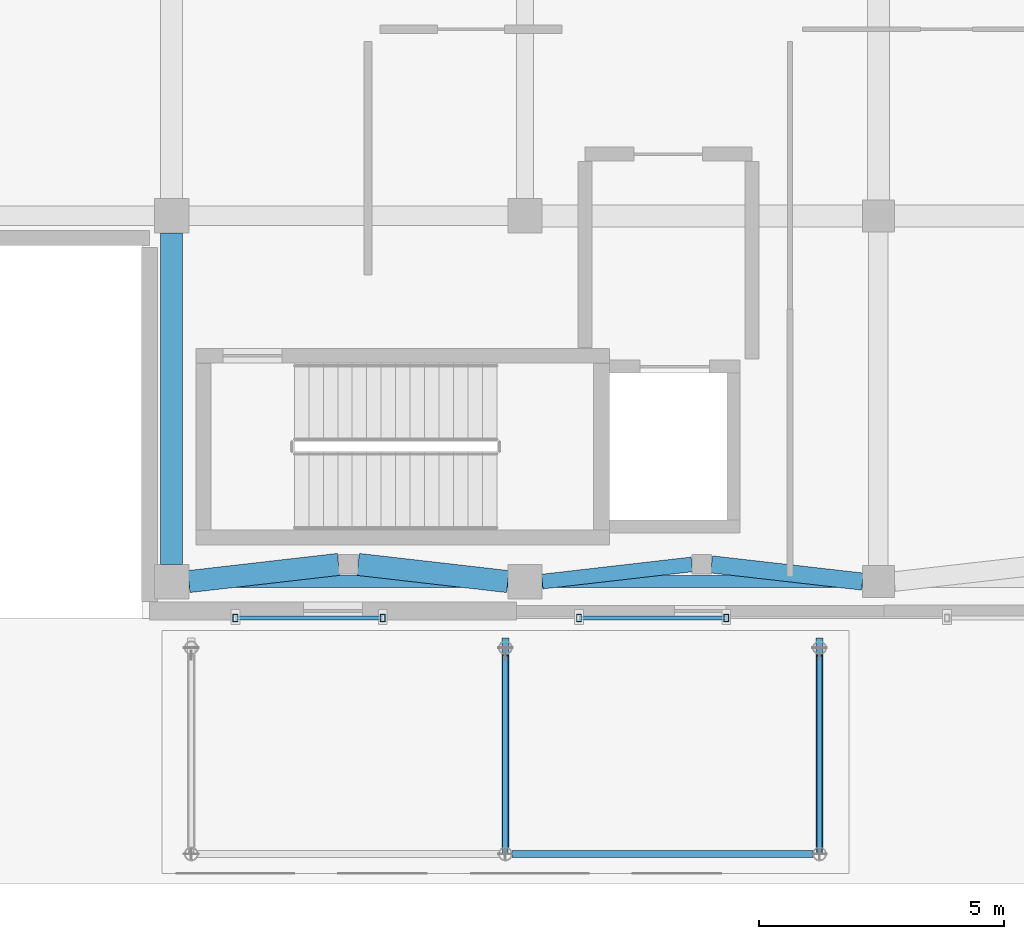
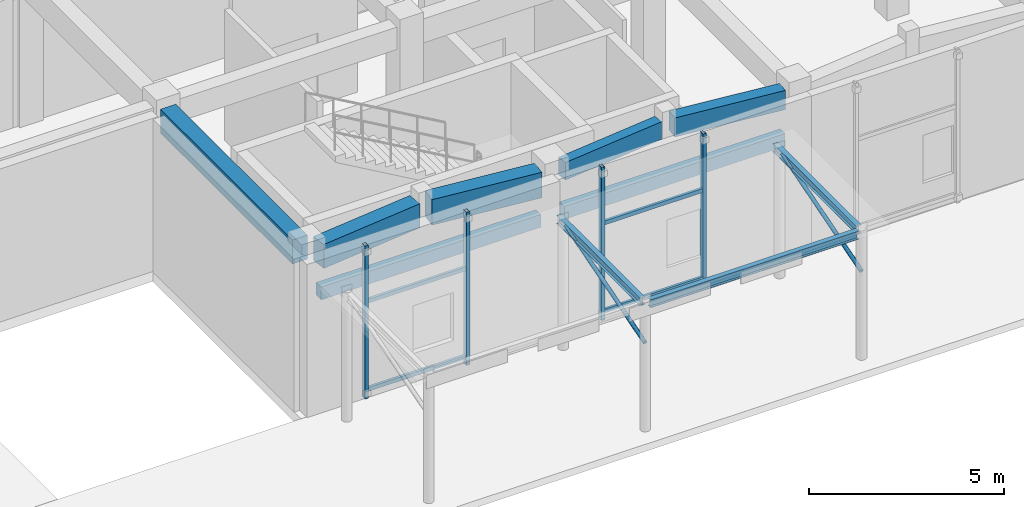
# One storey, part 16 of 121: 10 beams, 10 members.
"""IFC4 building model written with IfcOpenShell, lengths in metres."""

import ifcopenshell
import ifcopenshell.guid

model = None  # the IFC model being written
_history = None  # IfcOwnerHistory: only IFC2X3 demands one
_inside = {}  # id of a spatial element -> (the spatial element, [elements in it])
_under = {}  # id of a project, library or spatial element -> (it, [spatial elements below it])
_declared = {}  # id of a project -> (the project, [libraries it declares])
_typed = {}  # id of a type object -> (the type object, [elements of that type])
_made_of = {}  # id of a material, layer set ... -> (it, [elements and type objects made of it])


def new_model(schema):
    """Start an empty IFC model of exactly this schema.

    Asked for "IFC4X3", IfcOpenShell would pick the latest addendum, in which some entities
    have other attributes; the version numbers below select the first issue.
    IFC2X3 requires an IfcOwnerHistory on every rooted entity: one is made here for all.
    """
    global model, _history
    if schema == "IFC4X3":
        model = ifcopenshell.file(schema_version=(4, 3, 0, 0))
    else:
        model = ifcopenshell.file(schema=schema)
    _inside.clear()
    _under.clear()
    _declared.clear()
    _typed.clear()
    _made_of.clear()
    _history = None
    if model.schema == "IFC2X3":
        org = make("IfcOrganization", Name="unknown")
        user = make(
            "IfcPersonAndOrganization",
            ThePerson=make("IfcPerson", FamilyName="unknown"),
            TheOrganization=org,
        )
        app = make(
            "IfcApplication",
            ApplicationDeveloper=org,
            Version="unknown",
            ApplicationFullName="unknown",
            ApplicationIdentifier="unknown",
        )
        _history = make(
            "IfcOwnerHistory",
            OwningUser=user,
            OwningApplication=app,
            ChangeAction="ADDED",
            CreationDate=0,
        )
    return model


def make(cls, **values):
    """One entity of the class cls with the attributes given. An attribute that is None is left unset."""
    return model.create_entity(
        cls, **{name: value for name, value in values.items() if value is not None}
    )


def rooted(cls, **values):
    """An entity with a GlobalId (a new one), such as an element, a storey or a relation."""
    return make(cls, GlobalId=ifcopenshell.guid.new(), OwnerHistory=_history, **values)


def si_unit(unit_type, name, prefix=None):
    """IfcSIUnit, for example si_unit("LENGTHUNIT", "METRE", prefix="MILLI")."""
    return make("IfcSIUnit", UnitType=unit_type, Prefix=prefix, Name=name)


def assignment(units):
    """IfcUnitAssignment: the units of a project."""
    return None if units is None else make("IfcUnitAssignment", Units=units)


def point(xyz):
    """IfcCartesianPoint."""
    return None if xyz is None else make("IfcCartesianPoint", Coordinates=xyz)


def direction(xyz):
    """IfcDirection."""
    return None if xyz is None else make("IfcDirection", DirectionRatios=xyz)


def frame(location, z_axis=None, x_axis=None):
    """IfcAxis2Placement3D, a coordinate frame: its origin and axes. An axis left out is left unset."""
    return make(
        "IfcAxis2Placement3D",
        Location=point(location),
        Axis=direction(z_axis),
        RefDirection=direction(x_axis),
    )


def frame_2d(location, x_axis=None):
    """IfcAxis2Placement2D, a coordinate frame in the plane: its origin and x axis."""
    return make(
        "IfcAxis2Placement2D", Location=point(location), RefDirection=direction(x_axis)
    )


def origin():
    """The frame at (0, 0, 0) with its axes left unset."""
    return frame((0.0, 0.0, 0.0))


def origin_2d():
    """The frame at (0, 0) in the plane with its x axis left unset."""
    return frame_2d((0.0, 0.0))


def place(relative_to, where):
    """IfcLocalPlacement: puts the frame where relative to a parent placement (None: the world)."""
    return make(
        "IfcLocalPlacement", PlacementRelTo=relative_to, RelativePlacement=where
    )


def context(
    kind, dimensions, precision=None, world=None, true_north=None, identifier=None
):
    """IfcGeometricRepresentationContext, for example the 3D "Model" context."""
    return make(
        "IfcGeometricRepresentationContext",
        ContextIdentifier=identifier,
        ContextType=kind,
        CoordinateSpaceDimension=dimensions,
        Precision=precision,
        WorldCoordinateSystem=world,
        TrueNorth=true_north,
    )


def subcontext(parent, identifier, kind, view, scale=None):
    """IfcGeometricRepresentationSubContext, for example "Body" below "Model"."""
    return make(
        "IfcGeometricRepresentationSubContext",
        ContextIdentifier=identifier,
        ContextType=kind,
        ParentContext=parent,
        TargetScale=scale,
        TargetView=view,
    )


def project(units=None, contexts=None):
    """IfcProject with its units and contexts."""
    return rooted(
        "IfcProject",
        Name="project",
        RepresentationContexts=contexts,
        UnitsInContext=assignment(units),
    )


def spatial(cls, under=None, at=None, **own):
    """A site, building, storey or space (cls), placed at a placement, below another one or the project."""
    s = rooted(cls, ObjectPlacement=at, **own)
    if under is not None:
        _under.setdefault(under.id(), (under, []))[1].append(s)
    return s


def profile(cls, at=None, kind="AREA", **sizes):
    """A parametric profile (cls). Its sizes go by their IFC names, for example OverallWidth=200.0."""
    return make(cls, ProfileType=kind, Position=at, **sizes)


def rectangle(**sizes):
    """IfcRectangleProfileDef."""
    return profile("IfcRectangleProfileDef", **sizes)


def hollow_rectangle(**sizes):
    """IfcRectangleHollowProfileDef."""
    return profile("IfcRectangleHollowProfileDef", **sizes)


def hollow_circle(**sizes):
    """IfcCircleHollowProfileDef."""
    return profile("IfcCircleHollowProfileDef", **sizes)


def i_section(**sizes):
    """IfcIShapeProfileDef."""
    return profile("IfcIShapeProfileDef", **sizes)


def extrude(swept, where, along, depth):
    """IfcExtrudedAreaSolid: the profile swept, set in the frame where, extruded along a direction by depth."""
    return make(
        "IfcExtrudedAreaSolid",
        SweptArea=swept,
        Position=where,
        ExtrudedDirection=direction(along),
        Depth=depth,
    )


def shape(context_of_items, identifier, shape_type, items):
    """IfcShapeRepresentation: the items that make up one representation, for example the "Body"."""
    return make(
        "IfcShapeRepresentation",
        ContextOfItems=context_of_items,
        RepresentationIdentifier=identifier,
        RepresentationType=shape_type,
        Items=items,
    )


def material(Name=None, Category=None):
    """IfcMaterial."""
    return make("IfcMaterial", Name=Name, Category=Category)


def material_profile(
    of_material, cross_section, Name=None, Category=None, Priority=None
):
    """IfcMaterialProfile: a cross section and its material."""
    return make(
        "IfcMaterialProfile",
        Name=Name,
        Material=of_material,
        Profile=cross_section,
        Priority=Priority,
        Category=Category,
    )


def profile_set(profiles, Name=None, composite=None):
    """IfcMaterialProfileSet."""
    return make(
        "IfcMaterialProfileSet",
        Name=Name,
        MaterialProfiles=profiles,
        CompositeProfile=composite,
    )


def made_of(thing, what):
    """Note that an element or type object is made of a material, layer set ...; save() writes the relation."""
    if what is not None:
        _made_of.setdefault(what.id(), (what, []))[1].append(thing)
    return thing


def type_object(cls, material=None, **own):
    """A type object (cls), such as IfcWallType, which elements share."""
    return made_of(rooted(cls, **own), material)


def element(
    cls,
    number,
    at=None,
    inside=None,
    cuts=None,
    type_object=None,
    material=None,
    context=None,
    identifier="Body",
    shape_type=None,
    held_by="IfcProductDefinitionShape",
    body=None,
    shapes=None,
    **own,
):
    """One element of the class cls, such as IfcWall. Its Tag is "e" and its number.

    at: its placement. inside: the storey or other place that contains it. cuts: it is an
    opening in that element (IfcRelVoidsElement). A single representation is given by context,
    identifier, shape_type and body (its items); several are given by shapes. held_by: the class
    of the entity that holds the representations. save() writes the other relations.
    """
    e = rooted(cls, Tag="e%d" % number, ObjectPlacement=at, **own)
    if body is not None:
        shapes = [shape(context, identifier, shape_type, body)]
    if shapes is not None:
        e.Representation = make(held_by, Representations=shapes)
    if inside is not None:
        _inside.setdefault(inside.id(), (inside, []))[1].append(e)
    if cuts is not None:
        rooted(
            "IfcRelVoidsElement", RelatingBuildingElement=cuts, RelatedOpeningElement=e
        )
    if type_object is not None:
        _typed.setdefault(type_object.id(), (type_object, []))[1].append(e)
    return made_of(e, material)


def aggregate(whole, parts):
    """IfcRelAggregates: a whole, such as a stair, and the parts it consists of."""
    return rooted("IfcRelAggregates", RelatingObject=whole, RelatedObjects=parts)


def save(model, path):
    """Write the relations noted so far, then the file.

    IfcRelAggregates (storeys below a building ...), IfcRelContainedInSpatialStructure (elements
    in a storey), IfcRelDefinesByType, IfcRelAssociatesMaterial and IfcRelDeclares: one each for
    every whole, place, type object, material and project.
    """
    for whole, parts in _under.values():
        aggregate(whole, parts)
    for where, things in _inside.values():
        rooted(
            "IfcRelContainedInSpatialStructure",
            RelatedElements=things,
            RelatingStructure=where,
        )
    for kind, things in _typed.values():
        rooted("IfcRelDefinesByType", RelatedObjects=things, RelatingType=kind)
    for what, things in _made_of.values():
        rooted("IfcRelAssociatesMaterial", RelatedObjects=things, RelatingMaterial=what)
    for by, libraries in _declared.values():
        rooted("IfcRelDeclares", RelatingContext=by, RelatedDefinitions=libraries)
    model.write(path)


model = new_model("IFC4")

# Units and contexts
model_context = context("Model", 3, precision=1e-05, world=origin(), true_north=direction((0.0, 1.0)))
body_context = subcontext(model_context, "Body", "Model", "MODEL_VIEW")
ifc_project = project(units=[si_unit("LENGTHUNIT", "METRE"), si_unit("AREAUNIT", "SQUARE_METRE"), si_unit("VOLUMEUNIT", "CUBIC_METRE"), si_unit("PLANEANGLEUNIT", "RADIAN"), si_unit("MASSUNIT", "GRAM", prefix="KILO")], contexts=[model_context])

# Site, building, storey
site_placement = place(None, origin())
site = spatial("IfcSite", under=ifc_project, at=site_placement, CompositionType="ELEMENT")
building_placement = place(site_placement, origin())
building = spatial("IfcBuilding", under=site, at=building_placement, Name="Valcora Specialist Clinic", CompositionType="ELEMENT")
storey_placement = place(building_placement, origin())
storey = spatial("IfcBuildingStorey", under=building, at=storey_placement, Name="L00", CompositionType="ELEMENT", Elevation=0.0)

# Beams
ifc_material_1 = material(Name="Steel ASTM A992 Grade 50", Category="steel")
ifc_material_profile_1 = material_profile(ifc_material_1, i_section(OverallWidth=0.14599609375, OverallDepth=0.25390625, WebThickness=0.006103515625, FlangeThickness=0.009033203125, at=origin_2d()), Name="ST-IR-250X145")
ifc_profile_set_1 = profile_set([ifc_material_profile_1], Name="Steel ASTM A992 Grade 50")
beam_type_1 = type_object("IfcBeamType", Name="TY-BM-IR250", PredefinedType="BEAM", material=ifc_profile_set_1)
beam_1_placement = place(storey_placement, frame((23.1298828125, -4.800048828125, 3.908935546875), z_axis=(1.0, 0.0, 0.0), x_axis=(0.0, 1.0, 0.0)))
element("IfcBeam", 1, at=beam_1_placement, inside=storey, type_object=beam_type_1, Name="Canopy beam BM-L00-1637", PredefinedType="BEAM", context=body_context, shape_type="SweptSolid", body=[
    extrude(i_section(OverallWidth=0.14599609375, OverallDepth=0.25390625, WebThickness=0.006103515625, FlangeThickness=0.009033203125, at=origin_2d()), origin(), (0.0, 0.0, 1.0), 6.14013671875),
])
for number, where, z_axis, x_axis, name in (
    (2, (23.0, -4.669921875, 3.908935546875), (0.0, 1.0, 0.0), (-1.0, 0.0, 0.0), "Canopy outrigger BM-L00-1639"),
    (3, (29.39990234375, -4.669921875, 3.908935546875), (0.0, 1.0, 0.0), (-1.0, 0.0, 0.0), "Canopy outrigger BM-CNP-03"),
):
    element("IfcBeam", number, at=place(storey_placement, frame(where, z_axis=z_axis, x_axis=x_axis)), inside=storey, type_object=beam_type_1, Name=name, PredefinedType="BEAM", context=body_context, shape_type="SweptSolid", body=[
        extrude(i_section(OverallWidth=0.14599609375, OverallDepth=0.25390625, WebThickness=0.006103515625, FlangeThickness=0.009033203125, at=origin_2d()), origin(), (0.0, 0.0, 1.0), 4.27001953125),
    ])
ifc_material_2 = material(Name="Concrete C40/50", Category="concrete")
ifc_material_profile_2 = material_profile(ifc_material_2, rectangle(XDim=0.300048828125, YDim=0.550048828125, at=origin_2d()), Name="RC-BM-300X550")
ifc_profile_set_2 = profile_set([ifc_material_profile_2], Name="Concrete C40/50")
beam_type_2 = type_object("IfcBeamType", Name="TY-BM-RC300X550", PredefinedType="BEAM", material=ifc_profile_set_2)
beam_2_placement = place(storey_placement, frame((23.75, 0.75, 4.510009765625), z_axis=(0.993476675025, 0.114035504041, 0.0), x_axis=(-0.114035504041, 0.993476675025, 0.0)))
element("IfcBeam", 4, at=beam_2_placement, inside=storey, type_object=beam_type_2, Name="Beam BM-L00-0883", PredefinedType="BEAM", context=body_context, shape_type="SweptSolid", body=[
    extrude(rectangle(XDim=0.300048828125, YDim=0.550048828125, at=origin_2d()), origin(), (0.0, 0.0, 1.0), 3.070068359375),
])
ifc_material_profile_3 = material_profile(ifc_material_2, rectangle(XDim=0.35009765625, YDim=0.60009765625, at=origin_2d()), Name="RC-BM-350X600")
ifc_profile_set_3 = profile_set([ifc_material_profile_3], Name="Concrete C40/50")
beam_type_3 = type_object("IfcBeamType", Name="TY-BM-RC350X600", PredefinedType="BEAM", material=ifc_profile_set_3)
beam_3_placement = place(storey_placement, frame((27.199951171875, 1.10009765625, 4.485107421875), z_axis=(0.993580893822, -0.113123858812, 0.0), x_axis=(0.113123858812, 0.993580893822, 0.0)))
element("IfcBeam", 5, at=beam_3_placement, inside=storey, type_object=beam_type_3, Name="Beam BM-L00-0884", PredefinedType="BEAM", context=body_context, shape_type="SweptSolid", body=[
    extrude(rectangle(XDim=0.35009765625, YDim=0.60009765625, at=origin_2d()), origin(), (0.0, 0.0, 1.0), 3.0947265625),
])
ifc_material_profile_4 = material_profile(ifc_material_2, rectangle(XDim=0.449951171875, YDim=0.75, at=origin_2d()), Name="RC-BM-450X750")
ifc_profile_set_4 = profile_set([ifc_material_profile_4], Name="Concrete C40/50")
beam_type_4 = type_object("IfcBeamType", Name="TY-BM-RC450X750", PredefinedType="BEAM", material=ifc_profile_set_4)
beam_4_placement = place(storey_placement, frame((16.550048828125, 0.75, 4.409912109375), z_axis=(0.993476675025, 0.114035504041, 0.0), x_axis=(-0.114035504041, 0.993476675025, 0.0)))
element("IfcBeam", 6, at=beam_4_placement, inside=storey, type_object=beam_type_4, Name="Beam BM-L00-0881", PredefinedType="BEAM", context=body_context, shape_type="SweptSolid", body=[
    extrude(rectangle(XDim=0.449951171875, YDim=0.75, at=origin_2d()), origin(), (0.0, 0.0, 1.0), 3.070068359375),
])
beam_5_placement = place(storey_placement, frame((16.199951171875, 1.10009765625, 4.409912109375), z_axis=(0.0, 1.0, 0.0), x_axis=(-1.0, 0.0, 0.0)))
element("IfcBeam", 7, at=beam_5_placement, inside=storey, type_object=beam_type_4, Name="Beam BM-L00-0915", PredefinedType="BEAM", context=body_context, shape_type="SweptSolid", body=[
    extrude(rectangle(XDim=0.449951171875, YDim=0.75, at=origin_2d()), origin(), (0.0, 0.0, 1.0), 6.75),
])
ifc_material_profile_5 = material_profile(ifc_material_2, rectangle(XDim=0.449951171875, YDim=0.800048828125, at=origin_2d()), Name="RC-BM-450X800")
ifc_profile_set_5 = profile_set([ifc_material_profile_5], Name="Concrete C40/50")
beam_type_5 = type_object("IfcBeamType", Name="TY-BM-RC450X800", PredefinedType="BEAM", material=ifc_profile_set_5)
beam_6_placement = place(storey_placement, frame((20.0, 1.10009765625, 4.385009765625), z_axis=(0.993476675025, -0.114035504041, 0.0), x_axis=(0.114035504041, 0.993476675025, 0.0)))
element("IfcBeam", 8, at=beam_6_placement, inside=storey, type_object=beam_type_5, Name="Beam BM-L00-0882", PredefinedType="BEAM", context=body_context, shape_type="SweptSolid", body=[
    extrude(rectangle(XDim=0.449951171875, YDim=0.800048828125, at=origin_2d()), origin(), (0.0, 0.0, 1.0), 3.070068359375),
])
ifc_material_profile_6 = material_profile(ifc_material_2, rectangle(XDim=0.25, YDim=0.39990234375, at=origin_2d()), Name="RC-LN-250X400")
ifc_profile_set_6 = profile_set([ifc_material_profile_6], Name="Concrete C40/50")
beam_type_6 = type_object("IfcBeamType", Name="TY-LN-RC250X400", PredefinedType="LINTEL", material=ifc_profile_set_6)
beam_7_placement = place(storey_placement, frame((16.550048828125, 0.75, 3.199951171875), z_axis=(1.0, 0.0, 0.0), x_axis=(0.0, 1.0, 0.0)))
element("IfcBeam", 9, at=beam_7_placement, inside=storey, type_object=beam_type_6, Name="Facade lintel 1 BM-L00-1640", PredefinedType="LINTEL", context=body_context, shape_type="SweptSolid", body=[
    extrude(rectangle(XDim=0.25, YDim=0.39990234375, at=origin_2d()), origin(), (0.0, 0.0, 1.0), 6.5),
])
beam_8_placement = place(storey_placement, frame((23.75, 0.75, 3.199951171875), z_axis=(1.0, 0.0, 0.0), x_axis=(0.0, 1.0, 0.0)))
element("IfcBeam", 10, at=beam_8_placement, inside=storey, type_object=beam_type_6, Name="Facade lintel 2 BM-L00-1641", PredefinedType="LINTEL", context=body_context, shape_type="SweptSolid", body=[
    extrude(rectangle(XDim=0.25, YDim=0.39990234375, at=origin_2d()), origin(), (0.0, 0.0, 1.0), 6.52490234375),
])

# Members
ifc_material_3 = material(Name="Steel ASTM A500 Grade C", Category="steel")
ifc_material_profile_7 = material_profile(ifc_material_3, hollow_rectangle(XDim=0.10009765625, YDim=0.14990234375, WallThickness=0.006103515625, at=origin_2d()), Name="ST-RHS-150X100X6")
ifc_profile_set_7 = profile_set([ifc_material_profile_7], Name="Steel ASTM A500 Grade C")
member_type_1 = type_object("IfcMemberType", Name="TY-MB-SFPOST", PredefinedType="POST", material=ifc_profile_set_7)
for number, where, z_axis, x_axis, name in (
    (11, (17.5, 0.010009765625, 0.0), (0.0, 0.0, 1.0), (1.0, 0.0, 0.0), "Brick screen carrier post 1"),
    (12, (20.5, 0.010009765625, 0.0), (0.0, 0.0, 1.0), (1.0, 0.0, 0.0), "Brick screen carrier post 2"),
    (13, (24.5, 0.010009765625, 0.0), (0.0, 0.0, 1.0), (1.0, 0.0, 0.0), "Brick screen carrier post 5"),
    (14, (27.5, 0.010009765625, 0.0), (0.0, 0.0, 1.0), (1.0, 0.0, 0.0), "Brick screen carrier post 6"),
):
    element("IfcMember", number, at=place(storey_placement, frame(where, z_axis=z_axis, x_axis=x_axis)), inside=storey, type_object=member_type_1, Name=name, PredefinedType="POST", context=body_context, shape_type="SweptSolid", body=[
        extrude(hollow_rectangle(XDim=0.10009765625, YDim=0.14990234375, WallThickness=0.006103515625, at=origin_2d()), origin(), (0.0, 0.0, 1.0), 4.784912109375),
    ])
ifc_material_profile_8 = material_profile(ifc_material_3, hollow_rectangle(XDim=0.080078125, YDim=0.1201171875, WallThickness=0.0048828125, at=origin_2d()), Name="ST-RHS-120X80X5")
ifc_profile_set_8 = profile_set([ifc_material_profile_8], Name="Steel ASTM A500 Grade C")
member_type_2 = type_object("IfcMemberType", Name="TY-MB-SFRAIL", PredefinedType="STRINGER", material=ifc_profile_set_8)
for number, where, z_axis, x_axis, name in (
    (15, (17.5, 0.010009765625, 0.239990234375), (1.0, 0.0, 0.0), (0.0, 1.0, 0.0), "Brick screen carrier rail 3"),
    (16, (17.5, 0.010009765625, 3.0), (1.0, 0.0, 0.0), (0.0, 1.0, 0.0), "Brick screen carrier rail 4"),
    (17, (24.5, 0.010009765625, 0.239990234375), (1.0, 0.0, 0.0), (0.0, 1.0, 0.0), "Brick screen carrier rail 7"),
    (18, (24.5, 0.010009765625, 3.0), (1.0, 0.0, 0.0), (0.0, 1.0, 0.0), "Brick screen carrier rail 8"),
):
    element("IfcMember", number, at=place(storey_placement, frame(where, z_axis=z_axis, x_axis=x_axis)), inside=storey, type_object=member_type_2, Name=name, PredefinedType="STRINGER", context=body_context, shape_type="SweptSolid", body=[
        extrude(hollow_rectangle(XDim=0.080078125, YDim=0.1201171875, WallThickness=0.0048828125, at=origin_2d()), origin(), (0.0, 0.0, 1.0), 3.0),
    ])
ifc_material_profile_9 = material_profile(ifc_material_3, hollow_circle(Radius=0.056884765625, WallThickness=0.006103515625, at=origin_2d()), Name="ST-CHS-114X6")
ifc_profile_set_9 = profile_set([ifc_material_profile_9], Name="Steel ASTM A500 Grade C")
member_type_3 = type_object("IfcMemberType", Name="TY-MB-ST114", PredefinedType="STRUT", material=ifc_profile_set_9)
for number, where, z_axis, x_axis, name in (
    (19, (23.0, -4.800048828125, 2.699951171875), (0.0, 0.958218068217, 0.286038692737), (-1.0, 0.0, 0.0), "Canopy support strut MB-L00-0786"),
    (20, (29.39990234375, -4.800048828125, 2.699951171875), (0.0, 0.958218068217, 0.286038692737), (-1.0, 0.0, 0.0), "Canopy support strut MB-L00-0787"),
):
    element("IfcMember", number, at=place(storey_placement, frame(where, z_axis=z_axis, x_axis=x_axis)), inside=storey, type_object=member_type_3, Name=name, PredefinedType="STRUT", context=body_context, shape_type="SweptSolid", body=[
        extrude(hollow_circle(Radius=0.056884765625, WallThickness=0.006103515625, at=origin_2d()), origin(), (0.0, 0.0, 1.0), 4.2265625),
    ])

save(model, "model.ifc")
